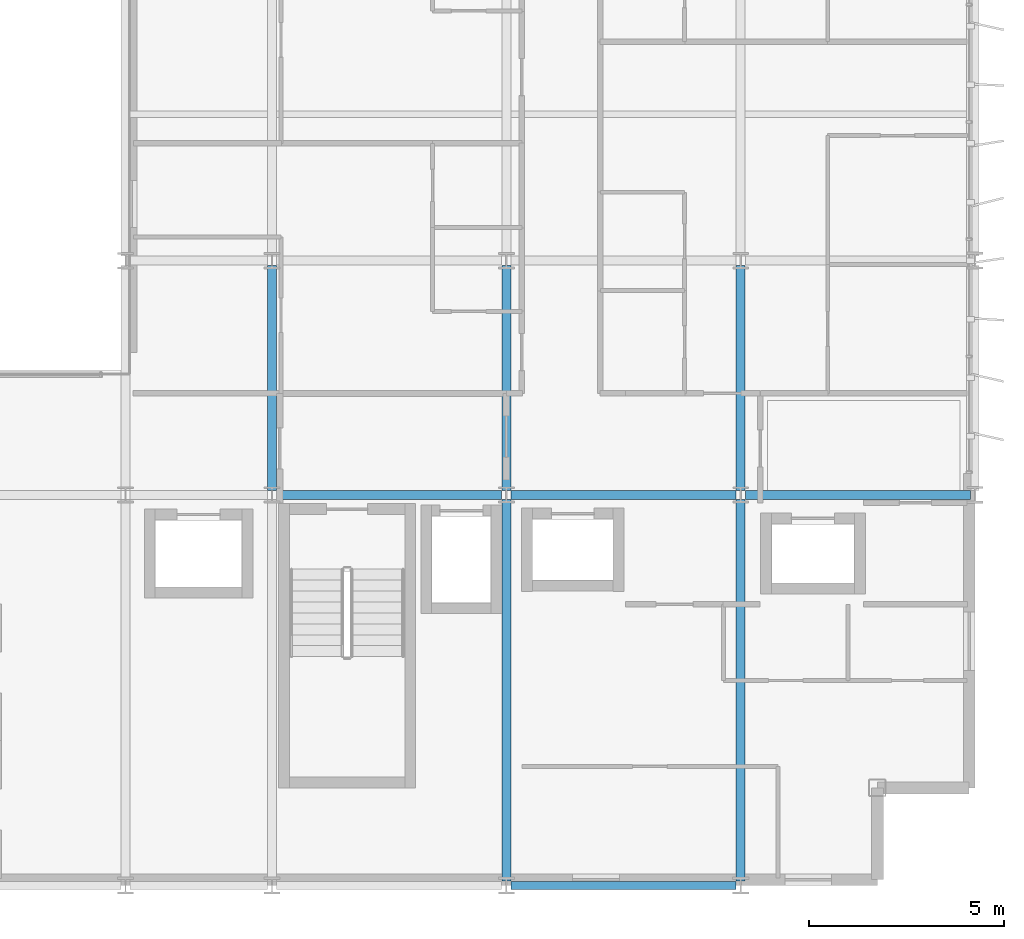
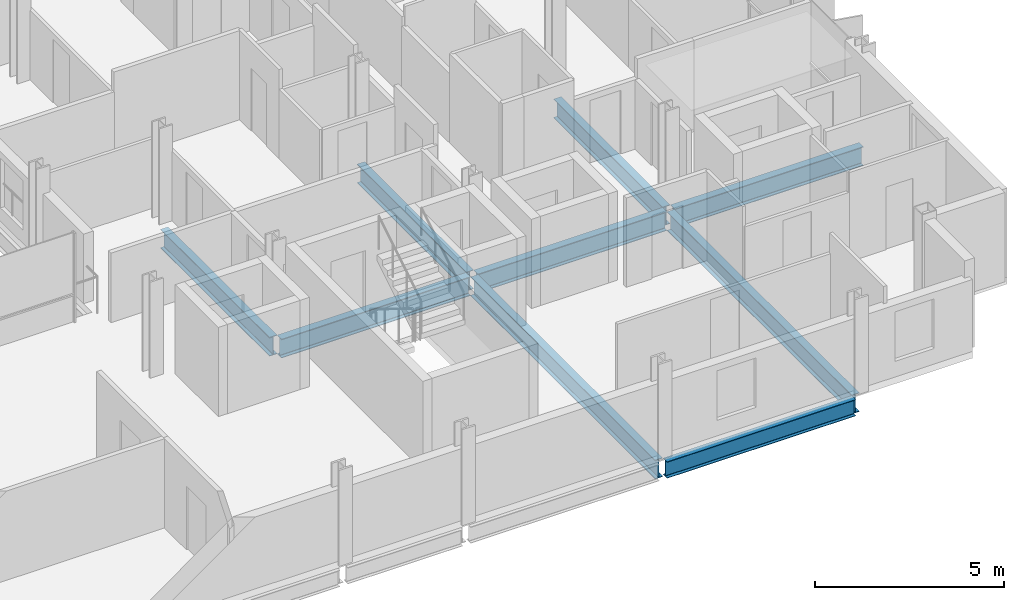
# One storey, part 14 of 38: 9 beams.
"""IFC4 building model written with IfcOpenShell, lengths in metres."""

from ifc_helpers import new_model, si_unit, direction, frame, origin, origin_2d, place, context, subcontext, project, spatial, i_section, extrude, material, material_profile, profile_set, type_object, element, save


model = new_model("IFC4")

# Units and contexts
model_context = context("Model", 3, precision=1e-05, world=origin(), true_north=direction((0.0, 1.0)))
body_context = subcontext(model_context, "Body", "Model", "MODEL_VIEW")
ifc_project = project(units=[si_unit("LENGTHUNIT", "METRE"), si_unit("AREAUNIT", "SQUARE_METRE"), si_unit("VOLUMEUNIT", "CUBIC_METRE"), si_unit("PLANEANGLEUNIT", "RADIAN"), si_unit("MASSUNIT", "GRAM", prefix="KILO")], contexts=[model_context])

# Site, building, storey
site_placement = place(None, origin())
site = spatial("IfcSite", under=ifc_project, at=site_placement, CompositionType="ELEMENT")
building_placement = place(site_placement, origin())
building = spatial("IfcBuilding", under=site, at=building_placement, Name="Brevholm Reach", CompositionType="ELEMENT")
storey_placement = place(building_placement, frame((0.0, 0.0, 128.300048828125)))
storey = spatial("IfcBuildingStorey", under=building, at=storey_placement, Name="L38", CompositionType="ELEMENT", Elevation=128.300048828125)

# Beams
ifc_material_1 = material(Name="Structural Steel S355J2", Category="steel")
ifc_material_profile_1 = material_profile(ifc_material_1, i_section(OverallWidth=0.209228515625, OverallDepth=0.533203125, WebThickness=0.010009765625, FlangeThickness=0.015625, FilletRadius=0.0126953125, at=origin_2d()), Name="UKB 533x210x92")
ifc_profile_set_1 = profile_set([ifc_material_profile_1], Name="Structural Steel S355J2")
beam_type_1 = type_object("IfcBeamType", Name="BM-SP533", PredefinedType="SPANDREL", material=ifc_profile_set_1)
beam_1_placement = place(storey_placement, frame((48.1201171875, 0.0, -0.486572265625), z_axis=(1.0, 0.0, 0.0), x_axis=(0.0, 1.0, 0.0)))
element("IfcBeam", 1, at=beam_1_placement, inside=storey, type_object=beam_type_1, Name="L38 SP-02 Framing Beam", PredefinedType="SPANDREL", context=body_context, shape_type="SweptSolid", body=[
    extrude(i_section(OverallWidth=0.209228515625, OverallDepth=0.533203125, WebThickness=0.010009765625, FlangeThickness=0.015625, FilletRadius=0.0126953125, at=origin_2d()), origin(), (0.0, 0.0, 1.0), 5.759765625),
])
ifc_material_2 = material(Name="Structural Steel S355J2", Category="steel")
ifc_material_profile_2 = material_profile(ifc_material_2, i_section(OverallWidth=0.22900390625, OverallDepth=0.6123046875, WebThickness=0.011962890625, FlangeThickness=0.01953125, FilletRadius=0.0126953125, at=origin_2d()), Name="UKB 610x229x125")
ifc_profile_set_2 = profile_set([ifc_material_profile_2], Name="Structural Steel S355J2")
beam_type_2 = type_object("IfcBeamType", Name="BM-SP610", PredefinedType="SPANDREL", material=ifc_profile_set_2)
for number, where, z_axis, x_axis, name in (
    (2, (42.1201171875, 10.0, -0.526123046875), (1.0, 0.0, 0.0), (0.0, 1.0, 0.0), "L38 SP-01 Framing Beam"),
    (3, (48.1201171875, 10.0, -0.526123046875), (1.0, 0.0, 0.0), (0.0, 1.0, 0.0), "L38 SP-01 Framing Beam"),
    (4, (54.1201171875, 10.0, -0.526123046875), (1.0, 0.0, 0.0), (0.0, 1.0, 0.0), "L38 SP-01 Framing Beam"),
    (5, (42.0, 10.1201171875, -0.526123046875), (0.0, 1.0, 0.0), (-1.0, 0.0, 0.0), "L38 SP-01 Framing Beam"),
):
    element("IfcBeam", number, at=place(storey_placement, frame(where, z_axis=z_axis, x_axis=x_axis)), inside=storey, type_object=beam_type_2, Name=name, PredefinedType="SPANDREL", context=body_context, shape_type="SweptSolid", body=[
        extrude(i_section(OverallWidth=0.22900390625, OverallDepth=0.6123046875, WebThickness=0.011962890625, FlangeThickness=0.01953125, FilletRadius=0.0126953125, at=origin_2d()), origin(), (0.0, 0.0, 1.0), 5.759765625),
    ])
beam_2_placement = place(storey_placement, frame((48.0, 0.1201171875, -0.526123046875), z_axis=(0.0, 1.0, 0.0), x_axis=(-1.0, 0.0, 0.0)))
element("IfcBeam", 6, at=beam_2_placement, inside=storey, type_object=beam_type_2, Name="L38 SP-01 Framing Beam", PredefinedType="SPANDREL", context=body_context, shape_type="SweptSolid", body=[
    extrude(i_section(OverallWidth=0.22900390625, OverallDepth=0.6123046875, WebThickness=0.011962890625, FlangeThickness=0.01953125, FilletRadius=0.0126953125, at=origin_2d()), origin(), (0.0, 0.0, 1.0), 9.759765625),
])
beam_3_placement = place(storey_placement, frame((48.0, 10.1201171875, -0.526123046875), z_axis=(0.0, 1.0, 0.0), x_axis=(-1.0, 0.0, 0.0)))
element("IfcBeam", 7, at=beam_3_placement, inside=storey, type_object=beam_type_2, Name="L38 SP-01 Framing Beam", PredefinedType="SPANDREL", context=body_context, shape_type="SweptSolid", body=[
    extrude(i_section(OverallWidth=0.22900390625, OverallDepth=0.6123046875, WebThickness=0.011962890625, FlangeThickness=0.01953125, FilletRadius=0.0126953125, at=origin_2d()), origin(), (0.0, 0.0, 1.0), 5.759765625),
])
beam_4_placement = place(storey_placement, frame((54.0, 0.1201171875, -0.526123046875), z_axis=(0.0, 1.0, 0.0), x_axis=(-1.0, 0.0, 0.0)))
element("IfcBeam", 8, at=beam_4_placement, inside=storey, type_object=beam_type_2, Name="L38 SP-01 Framing Beam", PredefinedType="SPANDREL", context=body_context, shape_type="SweptSolid", body=[
    extrude(i_section(OverallWidth=0.22900390625, OverallDepth=0.6123046875, WebThickness=0.011962890625, FlangeThickness=0.01953125, FilletRadius=0.0126953125, at=origin_2d()), origin(), (0.0, 0.0, 1.0), 9.759765625),
])
beam_5_placement = place(storey_placement, frame((54.0, 10.1201171875, -0.526123046875), z_axis=(0.0, 1.0, 0.0), x_axis=(-1.0, 0.0, 0.0)))
element("IfcBeam", 9, at=beam_5_placement, inside=storey, type_object=beam_type_2, Name="L38 SP-01 Framing Beam", PredefinedType="SPANDREL", context=body_context, shape_type="SweptSolid", body=[
    extrude(i_section(OverallWidth=0.22900390625, OverallDepth=0.6123046875, WebThickness=0.011962890625, FlangeThickness=0.01953125, FilletRadius=0.0126953125, at=origin_2d()), origin(), (0.0, 0.0, 1.0), 5.759765625),
])

save(model, "model.ifc")
